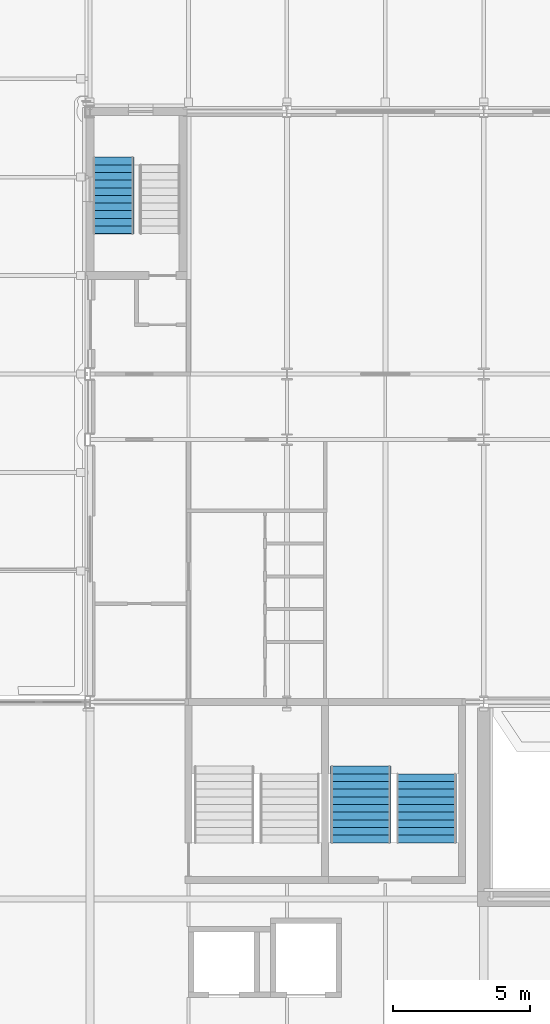
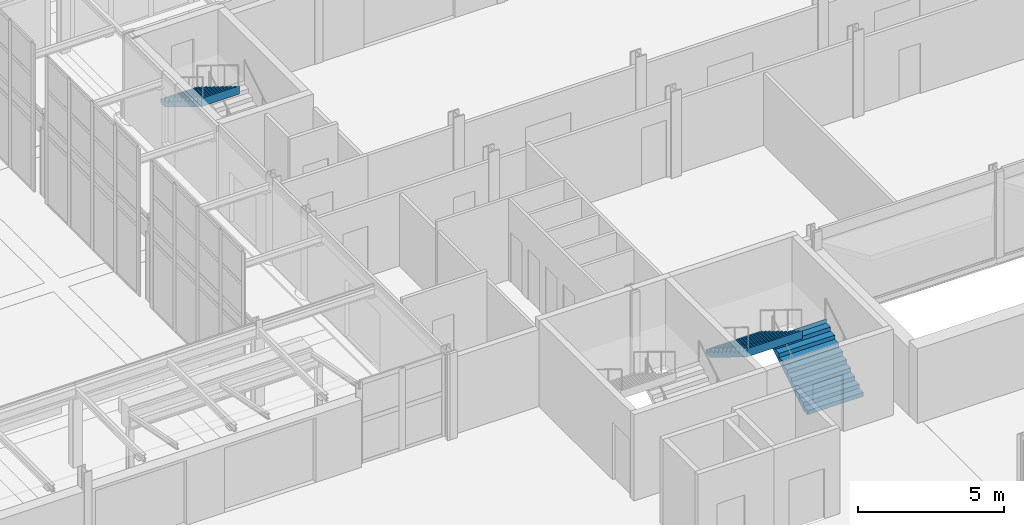
# One storey, part 98 of 143: 3 stair flights, 2 elements without a shape of their own.
"""IFC4 building model written with IfcOpenShell, lengths in metres."""

from ifc_helpers import new_model, si_unit, direction, frame, origin, place, context, subcontext, project, spatial, polyline, outline, extrude, material, type_object, element, aggregate, save


model = new_model("IFC4")

# Units and contexts
model_context = context("Model", 3, precision=1e-05, world=origin(), true_north=direction((0.0, 1.0)))
body_context = subcontext(model_context, "Body", "Model", "MODEL_VIEW")
ifc_project = project(units=[si_unit("LENGTHUNIT", "METRE"), si_unit("AREAUNIT", "SQUARE_METRE"), si_unit("VOLUMEUNIT", "CUBIC_METRE"), si_unit("PLANEANGLEUNIT", "RADIAN"), si_unit("MASSUNIT", "GRAM", prefix="KILO")], contexts=[model_context])

# Site, building, storey
site_placement = place(None, origin())
site = spatial("IfcSite", under=ifc_project, at=site_placement, CompositionType="ELEMENT")
building_placement = place(site_placement, origin())
building = spatial("IfcBuilding", under=site, at=building_placement, Name="Kupolbacken Congress Centre", CompositionType="ELEMENT")
storey_placement = place(building_placement, frame((0.0, 0.0, 7.199951171875)))
storey = spatial("IfcBuildingStorey", under=building, at=storey_placement, Name="L02", CompositionType="ELEMENT", Elevation=7.199951171875)

# Stair, stair flights
ifc_material_1 = material(Name="Concrete C30/37", Category="concrete")
stair_type_1 = type_object("IfcStairType", Name="ST13 stair 2200", PredefinedType="TWO_STRAIGHT_RUN_STAIR", material=ifc_material_1)
stair_1_placement = place(storey_placement, origin())
stair_1 = element("IfcStair", 1, at=stair_1_placement, inside=storey, type_object=stair_type_1, Name="C/stair/PS2NE/L02", PredefinedType="NOTDEFINED")
ifc_material_2 = material(Name="Concrete C30/37", Category="concrete")
stair_flight_type_1 = type_object("IfcStairFlightType", Name="FL13 stair flight 2200 x 10 risers", PredefinedType="STRAIGHT", material=ifc_material_2)
stair_flight_1_placement = place(storey_placement, frame((77.10009765625, 117.2548828125, 0.0), z_axis=(0.0, 0.0, 1.0), x_axis=(0.0, 1.0, 0.0)))
stair_flight_1 = element("IfcStairFlight", 2, at=stair_flight_1_placement, type_object=stair_flight_type_1, Name="PS2NE flight 1", NumberOfRisers=10, NumberOfTreads=9, PredefinedType="STRAIGHT", RiserHeight=0.171428571, TreadLength=0.28, context=body_context, shape_type="SweptSolid", body=[
    extrude(outline(polyline([(0.0, 0.0), (0.0, 0.0009765625), (0.0, 0.002197265625), (0.0, 0.003173828125), (0.0, 0.004150390625), (0.0, 0.00537109375), (0.0, 0.00634765625), (0.0, 0.007568359375), (0.0, 0.008544921875), (0.0, 0.009521484375), (0.0, 0.0107421875), (0.0, 0.01171875), (0.0, 0.0126953125), (0.0, 0.013916015625), (0.0, 0.014892578125), (0.0, 0.015869140625), (0.0, 0.01708984375), (0.0, 0.01806640625), (0.0, 0.019287109375), (0.0, 0.020263671875), (0.0, 0.021240234375), (0.0, 0.0224609375), (0.0, 0.0234375), (0.0, 0.0244140625), (0.0, 0.025634765625), (0.0, 0.026611328125), (0.0, 0.027587890625), (0.0, 0.02880859375), (0.0, 0.02978515625), (0.0, 0.03076171875), (0.0, 0.031982421875), (0.0, 0.032958984375), (0.0, 0.0341796875), (0.0, 0.03515625), (0.0, 0.0361328125), (0.0, 0.037353515625), (0.0, 0.038330078125), (0.0, 0.039306640625), (0.0, 0.04052734375), (0.0, 0.04150390625), (0.0, 0.04248046875), (0.0, 0.043701171875), (0.0, 0.044677734375), (0.0, 0.0458984375), (0.0, 0.046875), (0.0, 0.0478515625), (0.0, 0.049072265625), (0.0, 0.050048828125), (0.0, 0.051025390625), (0.0, 0.05224609375), (0.0, 0.05322265625), (0.0, 0.05419921875), (0.0, 0.055419921875), (0.0, 0.056396484375), (0.0, 0.0576171875), (0.0, 0.05859375), (0.0, 0.0595703125), (0.0, 0.060791015625), (0.0, 0.061767578125), (0.0, 0.062744140625), (0.0, 0.06396484375), (0.0, 0.06494140625), (0.0, 0.06591796875), (0.0, 0.067138671875), (0.0, 0.068115234375), (0.0, 0.069091796875), (0.0, 0.0703125), (0.0, 0.0712890625), (0.0, 0.072509765625), (0.0, 0.073486328125), (0.0, 0.074462890625), (0.0, 0.07568359375), (0.0, 0.07666015625), (0.0, 0.07763671875), (0.0, 0.078857421875), (0.0, 0.079833984375), (0.0, 0.080810546875), (0.0, 0.08203125), (0.0, 0.0830078125), (0.0, 0.084228515625), (0.0, 0.085205078125), (0.0, 0.086181640625), (0.0, 0.08740234375), (0.0, 0.08837890625), (0.0, 0.08935546875), (0.0, 0.090576171875), (0.0, 0.091552734375), (0.0, 0.092529296875), (0.0, 0.09375), (0.0, 0.0947265625), (0.0, 0.095947265625), (0.0, 0.096923828125), (0.0, 0.097900390625), (0.0, 0.09912109375), (0.0, 0.10009765625), (0.0, 0.10107421875), (0.0, 0.102294921875), (0.0, 0.103271484375), (0.0, 0.104248046875), (0.0, 0.10546875), (0.0, 0.1064453125), (0.0, 0.107421875), (0.0, 0.108642578125), (0.0, 0.109619140625), (0.0, 0.11083984375), (0.0, 0.11181640625), (0.0, 0.11279296875), (0.0, 0.114013671875), (0.0, 0.114990234375), (0.0, 0.115966796875), (0.0, 0.1171875), (0.0, 0.1181640625), (0.0, 0.119140625), (0.0, 0.120361328125), (0.0, 0.121337890625), (0.0, 0.12255859375), (0.0, 0.12353515625), (0.0, 0.12451171875), (0.0, 0.125732421875), (0.0, 0.126708984375), (0.0, 0.127685546875), (0.0, 0.12890625), (0.0, 0.1298828125), (0.0, 0.130859375), (0.0, 0.132080078125), (0.0, 0.133056640625), (0.0, 0.13427734375), (0.0, 0.13525390625), (0.0, 0.13623046875), (0.0, 0.137451171875), (0.0, 0.138427734375), (0.0, 0.139404296875), (0.0, 0.140625), (0.0, 0.1416015625), (0.0, 0.142578125), (0.0, 0.143798828125), (0.0, 0.144775390625), (0.0, 0.145751953125), (0.0, 0.14697265625), (0.0, 0.14794921875), (0.0, 0.149169921875), (0.0, 0.150146484375), (0.0, 0.151123046875), (0.0, 0.15234375), (0.0, 0.1533203125), (0.0, 0.154296875), (0.0, 0.155517578125), (0.0, 0.156494140625), (0.0, 0.157470703125), (0.0, 0.15869140625), (0.0, 0.15966796875), (0.0, 0.160888671875), (0.0, 0.161865234375), (0.0, 0.162841796875), (0.0, 0.1640625), (0.0, 0.1650390625), (0.0, 0.166015625), (0.0, 0.167236328125), (0.0, 0.168212890625), (0.0, 0.169189453125), (0.0, 0.17041015625), (0.0, 0.17138671875), (0.280029296875, 0.17138671875), (0.280029296875, 0.3427734375), (0.56005859375, 0.3427734375), (0.56005859375, 0.514404296875), (0.840087890625, 0.514404296875), (0.840087890625, 0.685791015625), (1.1201171875, 0.685791015625), (1.1201171875, 0.857177734375), (1.39990234375, 0.857177734375), (1.39990234375, 1.028564453125), (1.679931640625, 1.028564453125), (1.679931640625, 1.199951171875), (1.9599609375, 1.199951171875), (1.9599609375, 1.371337890625), (2.239990234375, 1.371337890625), (2.239990234375, 1.54296875), (2.52001953125, 1.54296875), (2.52001953125, 1.71435546875), (2.52197265625, 1.71435546875), (2.52197265625, 1.712158203125), (2.52197265625, 1.7099609375), (2.52197265625, 1.707763671875), (2.52197265625, 1.70556640625), (2.52197265625, 1.70361328125), (2.52197265625, 1.701416015625), (2.52197265625, 1.69921875), (2.52197265625, 1.697021484375), (2.52197265625, 1.69482421875), (2.52197265625, 1.692626953125), (2.52197265625, 1.690673828125), (2.52197265625, 1.6884765625), (2.52197265625, 1.686279296875), (2.52197265625, 1.68408203125), (2.52197265625, 1.681884765625), (2.52197265625, 1.6796875), (2.52197265625, 1.677734375), (2.52197265625, 1.675537109375), (2.52197265625, 1.67333984375), (2.52197265625, 1.671142578125), (2.52197265625, 1.6689453125), (2.52197265625, 1.666748046875), (2.52197265625, 1.664794921875), (2.52197265625, 1.66259765625), (2.52197265625, 1.660400390625), (2.52197265625, 1.658203125), (2.52197265625, 1.656005859375), (2.52197265625, 1.65380859375), (2.52197265625, 1.65185546875), (2.52197265625, 1.649658203125), (2.52197265625, 1.6474609375), (2.52197265625, 1.645263671875), (2.52197265625, 1.64306640625), (2.52197265625, 1.640869140625), (2.52197265625, 1.638916015625), (2.52197265625, 1.63671875), (2.52197265625, 1.634521484375), (2.52197265625, 1.63232421875), (2.52197265625, 1.630126953125), (2.52197265625, 1.6279296875), (2.52197265625, 1.6259765625), (2.52197265625, 1.623779296875), (2.52197265625, 1.62158203125), (2.52197265625, 1.619384765625), (2.52197265625, 1.6171875), (2.52197265625, 1.614990234375), (2.52197265625, 1.613037109375), (2.52197265625, 1.61083984375), (2.52197265625, 1.608642578125), (2.52197265625, 1.6064453125), (2.52197265625, 1.604248046875), (2.52197265625, 1.60205078125), (2.52197265625, 1.60009765625), (2.52197265625, 1.597900390625), (2.52197265625, 1.595703125), (2.52197265625, 1.593505859375), (2.52197265625, 1.59130859375), (2.52197265625, 1.589111328125), (2.52197265625, 1.587158203125), (2.52197265625, 1.5849609375), (2.52197265625, 1.582763671875), (2.52197265625, 1.58056640625), (2.52197265625, 1.578369140625), (2.52197265625, 1.576171875), (2.52197265625, 1.57421875), (2.52197265625, 1.572021484375), (2.52197265625, 1.56982421875), (2.52197265625, 1.567626953125), (2.52197265625, 1.5654296875), (2.52197265625, 1.563232421875), (2.52197265625, 1.561279296875), (2.52197265625, 1.55908203125), (2.52197265625, 1.556884765625), (2.52197265625, 1.5546875), (2.52197265625, 1.552490234375), (2.52197265625, 1.55029296875), (2.52197265625, 1.54833984375), (2.52197265625, 1.546142578125), (2.52197265625, 1.5439453125), (2.52197265625, 1.541748046875), (2.52197265625, 1.53955078125), (2.52197265625, 1.537353515625), (2.52197265625, 1.535400390625), (2.52197265625, 1.533203125), (2.52197265625, 1.531005859375), (2.52197265625, 1.52880859375), (2.52197265625, 1.526611328125), (2.52197265625, 1.5244140625), (2.52197265625, 1.5224609375), (2.52197265625, 1.520263671875), (2.52197265625, 1.51806640625), (2.52197265625, 1.515869140625), (2.52197265625, 1.513671875), (2.52197265625, 1.511474609375), (2.52197265625, 1.509521484375), (2.52197265625, 1.50732421875), (2.52197265625, 1.505126953125), (2.52197265625, 1.5029296875), (2.52197265625, 1.500732421875), (2.52197265625, 1.49853515625), (2.52197265625, 1.49658203125), (2.52197265625, 1.494384765625), (2.52197265625, 1.4921875), (2.52197265625, 1.489990234375), (2.52197265625, 1.48779296875), (2.52197265625, 1.485595703125), (2.52197265625, 1.483642578125), (2.52197265625, 1.4814453125), (2.52197265625, 1.479248046875), (2.52197265625, 1.47705078125), (2.52197265625, 1.474853515625), (2.52197265625, 1.47265625), (2.52197265625, 1.470703125), (2.52197265625, 1.468505859375), (2.52197265625, 1.46630859375), (2.52197265625, 1.464111328125), (2.52197265625, 1.4619140625), (2.52197265625, 1.459716796875), (2.52197265625, 1.457763671875), (2.52197265625, 1.45556640625), (2.52197265625, 1.453369140625), (2.52197265625, 1.451171875), (2.52197265625, 1.448974609375), (2.52197265625, 1.44677734375), (2.52197265625, 1.44482421875), (2.52197265625, 1.442626953125), (2.52197265625, 1.4404296875), (2.52197265625, 1.438232421875), (2.52197265625, 1.43603515625), (2.52197265625, 1.433837890625), (2.52197265625, 1.431884765625), (2.52197265625, 1.4296875), (2.52197265625, 1.427490234375), (2.52197265625, 1.42529296875), (2.52197265625, 1.423095703125), (2.52197265625, 1.4208984375), (2.52197265625, 1.4189453125), (2.52197265625, 1.416748046875), (2.52197265625, 1.41455078125), (2.52197265625, 1.412353515625), (2.52197265625, 1.41015625), (2.52197265625, 1.407958984375), (2.52197265625, 1.406005859375), (2.52197265625, 1.40380859375), (2.52197265625, 1.401611328125), (2.52197265625, 1.3994140625), (2.52197265625, 1.397216796875), (2.52197265625, 1.39501953125), (2.52197265625, 1.39306640625), (2.52197265625, 1.390869140625), (2.52197265625, 1.388671875), (2.52197265625, 1.386474609375), (2.52197265625, 1.38427734375), (2.52197265625, 1.382080078125), (2.52197265625, 1.380126953125), (2.52197265625, 1.3779296875), (2.52197265625, 1.375732421875), (2.52197265625, 1.37353515625), (2.52197265625, 1.371337890625), (2.52197265625, 1.369140625), (2.52197265625, 1.3671875), (0.2890625, 0.0), (0.0, 0.0)])), frame((0.0, 1.10009765625, 0.0), z_axis=(0.0, -1.0, 0.0), x_axis=(1.0, 0.0, 0.0)), (0.0, 0.0, 1.0), 2.199951171875),
])
ifc_material_3 = material(Name="Concrete C30/37", Category="concrete")
stair_flight_type_2 = type_object("IfcStairFlightType", Name="FL14 stair flight 2200 x 11 risers", PredefinedType="STRAIGHT", material=ifc_material_3)
stair_flight_2_placement = place(storey_placement, frame((74.699951171875, 120.054931640625, 1.71435546875), z_axis=(0.0, 0.0, 1.0), x_axis=(0.0, -1.0, 0.0)))
stair_flight_2 = element("IfcStairFlight", 3, at=stair_flight_2_placement, type_object=stair_flight_type_2, Name="PS2NE flight 2", NumberOfRisers=11, NumberOfTreads=10, PredefinedType="STRAIGHT", RiserHeight=0.171428571, TreadLength=0.28, context=body_context, shape_type="SweptSolid", body=[
    extrude(outline(polyline([(0.0, 0.0), (0.0, 0.0009765625), (0.0, 0.002197265625), (0.0, 0.003173828125), (0.0, 0.004150390625), (0.0, 0.00537109375), (0.0, 0.00634765625), (0.0, 0.007568359375), (0.0, 0.008544921875), (0.0, 0.009521484375), (0.0, 0.0107421875), (0.0, 0.01171875), (0.0, 0.0126953125), (0.0, 0.013916015625), (0.0, 0.014892578125), (0.0, 0.015869140625), (0.0, 0.01708984375), (0.0, 0.01806640625), (0.0, 0.019287109375), (0.0, 0.020263671875), (0.0, 0.021240234375), (0.0, 0.0224609375), (0.0, 0.0234375), (0.0, 0.0244140625), (0.0, 0.025634765625), (0.0, 0.026611328125), (0.0, 0.027587890625), (0.0, 0.02880859375), (0.0, 0.02978515625), (0.0, 0.03076171875), (0.0, 0.031982421875), (0.0, 0.032958984375), (0.0, 0.0341796875), (0.0, 0.03515625), (0.0, 0.0361328125), (0.0, 0.037353515625), (0.0, 0.038330078125), (0.0, 0.039306640625), (0.0, 0.04052734375), (0.0, 0.04150390625), (0.0, 0.04248046875), (0.0, 0.043701171875), (0.0, 0.044677734375), (0.0, 0.0458984375), (0.0, 0.046875), (0.0, 0.0478515625), (0.0, 0.049072265625), (0.0, 0.050048828125), (0.0, 0.051025390625), (0.0, 0.05224609375), (0.0, 0.05322265625), (0.0, 0.05419921875), (0.0, 0.055419921875), (0.0, 0.056396484375), (0.0, 0.0576171875), (0.0, 0.05859375), (0.0, 0.0595703125), (0.0, 0.060791015625), (0.0, 0.061767578125), (0.0, 0.062744140625), (0.0, 0.06396484375), (0.0, 0.06494140625), (0.0, 0.06591796875), (0.0, 0.067138671875), (0.0, 0.068115234375), (0.0, 0.069091796875), (0.0, 0.0703125), (0.0, 0.0712890625), (0.0, 0.072509765625), (0.0, 0.073486328125), (0.0, 0.074462890625), (0.0, 0.07568359375), (0.0, 0.07666015625), (0.0, 0.07763671875), (0.0, 0.078857421875), (0.0, 0.079833984375), (0.0, 0.080810546875), (0.0, 0.08203125), (0.0, 0.0830078125), (0.0, 0.084228515625), (0.0, 0.085205078125), (0.0, 0.086181640625), (0.0, 0.08740234375), (0.0, 0.08837890625), (0.0, 0.08935546875), (0.0, 0.090576171875), (0.0, 0.091552734375), (0.0, 0.092529296875), (0.0, 0.09375), (0.0, 0.0947265625), (0.0, 0.095947265625), (0.0, 0.096923828125), (0.0, 0.097900390625), (0.0, 0.09912109375), (0.0, 0.10009765625), (0.0, 0.10107421875), (0.0, 0.102294921875), (0.0, 0.103271484375), (0.0, 0.104248046875), (0.0, 0.10546875), (0.0, 0.1064453125), (0.0, 0.107421875), (0.0, 0.108642578125), (0.0, 0.109619140625), (0.0, 0.11083984375), (0.0, 0.11181640625), (0.0, 0.11279296875), (0.0, 0.114013671875), (0.0, 0.114990234375), (0.0, 0.115966796875), (0.0, 0.1171875), (0.0, 0.1181640625), (0.0, 0.119140625), (0.0, 0.120361328125), (0.0, 0.121337890625), (0.0, 0.12255859375), (0.0, 0.12353515625), (0.0, 0.12451171875), (0.0, 0.125732421875), (0.0, 0.126708984375), (0.0, 0.127685546875), (0.0, 0.12890625), (0.0, 0.1298828125), (0.0, 0.130859375), (0.0, 0.132080078125), (0.0, 0.133056640625), (0.0, 0.13427734375), (0.0, 0.13525390625), (0.0, 0.13623046875), (0.0, 0.137451171875), (0.0, 0.138427734375), (0.0, 0.139404296875), (0.0, 0.140625), (0.0, 0.1416015625), (0.0, 0.142578125), (0.0, 0.143798828125), (0.0, 0.144775390625), (0.0, 0.145751953125), (0.0, 0.14697265625), (0.0, 0.14794921875), (0.0, 0.149169921875), (0.0, 0.150146484375), (0.0, 0.151123046875), (0.0, 0.15234375), (0.0, 0.1533203125), (0.0, 0.154296875), (0.0, 0.155517578125), (0.0, 0.156494140625), (0.0, 0.157470703125), (0.0, 0.15869140625), (0.0, 0.15966796875), (0.0, 0.160888671875), (0.0, 0.161865234375), (0.0, 0.162841796875), (0.0, 0.1640625), (0.0, 0.1650390625), (0.0, 0.166015625), (0.0, 0.167236328125), (0.0, 0.168212890625), (0.0, 0.169189453125), (0.0, 0.17041015625), (0.0, 0.17138671875), (0.280029296875, 0.17138671875), (0.280029296875, 0.3427734375), (0.56005859375, 0.3427734375), (0.56005859375, 0.514404296875), (0.840087890625, 0.514404296875), (0.840087890625, 0.685791015625), (1.1201171875, 0.685791015625), (1.1201171875, 0.857177734375), (1.39990234375, 0.857177734375), (1.39990234375, 1.028564453125), (1.679931640625, 1.028564453125), (1.679931640625, 1.199951171875), (1.9599609375, 1.199951171875), (1.9599609375, 1.371337890625), (2.239990234375, 1.371337890625), (2.239990234375, 1.54296875), (2.52001953125, 1.54296875), (2.52001953125, 1.71435546875), (2.800048828125, 1.71435546875), (2.800048828125, 1.8857421875), (2.802001953125, 1.8857421875), (2.802001953125, 1.883544921875), (2.802001953125, 1.88134765625), (2.802001953125, 1.879150390625), (2.802001953125, 1.877197265625), (2.802001953125, 1.875), (2.802001953125, 1.872802734375), (2.802001953125, 1.87060546875), (2.802001953125, 1.868408203125), (2.802001953125, 1.8662109375), (2.802001953125, 1.8642578125), (2.802001953125, 1.862060546875), (2.802001953125, 1.85986328125), (2.802001953125, 1.857666015625), (2.802001953125, 1.85546875), (2.802001953125, 1.853271484375), (2.802001953125, 1.851318359375), (2.802001953125, 1.84912109375), (2.802001953125, 1.846923828125), (2.802001953125, 1.8447265625), (2.802001953125, 1.842529296875), (2.802001953125, 1.84033203125), (2.802001953125, 1.83837890625), (2.802001953125, 1.836181640625), (2.802001953125, 1.833984375), (2.802001953125, 1.831787109375), (2.802001953125, 1.82958984375), (2.802001953125, 1.827392578125), (2.802001953125, 1.825439453125), (2.802001953125, 1.8232421875), (2.802001953125, 1.821044921875), (2.802001953125, 1.81884765625), (2.802001953125, 1.816650390625), (2.802001953125, 1.814453125), (2.802001953125, 1.8125), (2.802001953125, 1.810302734375), (2.802001953125, 1.80810546875), (2.802001953125, 1.805908203125), (2.802001953125, 1.8037109375), (2.802001953125, 1.801513671875), (2.802001953125, 1.799560546875), (2.802001953125, 1.79736328125), (2.802001953125, 1.795166015625), (2.802001953125, 1.79296875), (2.802001953125, 1.790771484375), (2.802001953125, 1.78857421875), (2.802001953125, 1.78662109375), (2.802001953125, 1.784423828125), (2.802001953125, 1.7822265625), (2.802001953125, 1.780029296875), (2.802001953125, 1.77783203125), (2.802001953125, 1.775634765625), (2.802001953125, 1.773681640625), (2.802001953125, 1.771484375), (2.802001953125, 1.769287109375), (2.802001953125, 1.76708984375), (2.802001953125, 1.764892578125), (2.802001953125, 1.7626953125), (2.802001953125, 1.7607421875), (2.802001953125, 1.758544921875), (2.802001953125, 1.75634765625), (2.802001953125, 1.754150390625), (2.802001953125, 1.751953125), (2.802001953125, 1.749755859375), (2.802001953125, 1.747802734375), (2.802001953125, 1.74560546875), (2.802001953125, 1.743408203125), (2.802001953125, 1.7412109375), (2.802001953125, 1.739013671875), (2.802001953125, 1.73681640625), (2.802001953125, 1.73486328125), (2.802001953125, 1.732666015625), (2.802001953125, 1.73046875), (2.802001953125, 1.728271484375), (2.802001953125, 1.72607421875), (2.802001953125, 1.723876953125), (2.802001953125, 1.721923828125), (2.802001953125, 1.7197265625), (2.802001953125, 1.717529296875), (2.802001953125, 1.71533203125), (2.802001953125, 1.713134765625), (2.802001953125, 1.7109375), (2.802001953125, 1.708984375), (2.802001953125, 1.706787109375), (2.802001953125, 1.70458984375), (2.802001953125, 1.702392578125), (2.802001953125, 1.7001953125), (2.802001953125, 1.697998046875), (2.802001953125, 1.696044921875), (2.802001953125, 1.69384765625), (2.802001953125, 1.691650390625), (2.802001953125, 1.689453125), (2.802001953125, 1.687255859375), (2.802001953125, 1.68505859375), (2.802001953125, 1.68310546875), (2.802001953125, 1.680908203125), (2.802001953125, 1.6787109375), (2.802001953125, 1.676513671875), (2.802001953125, 1.67431640625), (2.802001953125, 1.672119140625), (2.802001953125, 1.670166015625), (2.802001953125, 1.66796875), (2.802001953125, 1.665771484375), (2.802001953125, 1.66357421875), (2.802001953125, 1.661376953125), (2.802001953125, 1.6591796875), (2.802001953125, 1.6572265625), (2.802001953125, 1.655029296875), (2.802001953125, 1.65283203125), (2.802001953125, 1.650634765625), (2.802001953125, 1.6484375), (2.802001953125, 1.646240234375), (2.802001953125, 1.644287109375), (2.802001953125, 1.64208984375), (2.802001953125, 1.639892578125), (2.802001953125, 1.6376953125), (2.802001953125, 1.635498046875), (2.802001953125, 1.63330078125), (2.802001953125, 1.63134765625), (2.802001953125, 1.629150390625), (2.802001953125, 1.626953125), (2.802001953125, 1.624755859375), (2.802001953125, 1.62255859375), (2.802001953125, 1.620361328125), (2.802001953125, 1.618408203125), (2.802001953125, 1.6162109375), (2.802001953125, 1.614013671875), (2.802001953125, 1.61181640625), (2.802001953125, 1.609619140625), (2.802001953125, 1.607421875), (2.802001953125, 1.60546875), (2.802001953125, 1.603271484375), (2.802001953125, 1.60107421875), (2.802001953125, 1.598876953125), (2.802001953125, 1.5966796875), (2.802001953125, 1.594482421875), (2.802001953125, 1.592529296875), (2.802001953125, 1.59033203125), (2.802001953125, 1.588134765625), (2.802001953125, 1.5859375), (2.802001953125, 1.583740234375), (2.802001953125, 1.58154296875), (2.802001953125, 1.57958984375), (2.802001953125, 1.577392578125), (2.802001953125, 1.5751953125), (2.802001953125, 1.572998046875), (2.802001953125, 1.57080078125), (2.802001953125, 1.568603515625), (2.802001953125, 1.566650390625), (2.802001953125, 1.564453125), (2.802001953125, 1.562255859375), (2.802001953125, 1.56005859375), (2.802001953125, 1.557861328125), (2.802001953125, 1.5556640625), (2.802001953125, 1.5537109375), (2.802001953125, 1.551513671875), (2.802001953125, 1.54931640625), (2.802001953125, 1.547119140625), (2.802001953125, 1.544921875), (2.802001953125, 1.542724609375), (2.802001953125, 1.540771484375), (2.802001953125, 1.53857421875), (0.2890625, 0.0), (0.0, 0.0)])), frame((0.0, 1.10009765625, 0.0), z_axis=(0.0, -1.0, 0.0), x_axis=(1.0, 0.0, 0.0)), (0.0, 0.0, 1.0), 2.199951171875),
])
aggregate(stair_1, [stair_flight_1, stair_flight_2])

# Stair, stair flight
ifc_material_4 = material(Name="Steel S355", Category="steel")
stair_type_2 = type_object("IfcStairType", Name="ST2 stair 1500", PredefinedType="TWO_STRAIGHT_RUN_STAIR", material=ifc_material_4)
stair_2_placement = place(storey_placement, origin())
stair_2 = element("IfcStair", 4, at=stair_2_placement, inside=storey, type_object=stair_type_2, Name="C/stair/TS3/L02", PredefinedType="NOTDEFINED")
ifc_material_5 = material(Name="Steel S355", Category="steel")
stair_flight_type_3 = type_object("IfcStairFlightType", Name="FL4 stair flight 1500 x 11 risers", PredefinedType="STRAIGHT", material=ifc_material_5)
stair_flight_3_placement = place(storey_placement, frame((65.64990234375, 142.330078125, 1.71435546875), z_axis=(0.0, 0.0, 1.0), x_axis=(0.0, -1.0, 0.0)))
stair_flight_3 = element("IfcStairFlight", 5, at=stair_flight_3_placement, type_object=stair_flight_type_3, Name="TS3 flight 2", NumberOfRisers=11, NumberOfTreads=10, PredefinedType="STRAIGHT", RiserHeight=0.171428571, TreadLength=0.28, context=body_context, shape_type="SweptSolid", body=[
    extrude(outline(polyline([(0.0, 0.0), (0.0, 0.0009765625), (0.0, 0.002197265625), (0.0, 0.003173828125), (0.0, 0.004150390625), (0.0, 0.00537109375), (0.0, 0.00634765625), (0.0, 0.007568359375), (0.0, 0.008544921875), (0.0, 0.009521484375), (0.0, 0.0107421875), (0.0, 0.01171875), (0.0, 0.0126953125), (0.0, 0.013916015625), (0.0, 0.014892578125), (0.0, 0.015869140625), (0.0, 0.01708984375), (0.0, 0.01806640625), (0.0, 0.019287109375), (0.0, 0.020263671875), (0.0, 0.021240234375), (0.0, 0.0224609375), (0.0, 0.0234375), (0.0, 0.0244140625), (0.0, 0.025634765625), (0.0, 0.026611328125), (0.0, 0.027587890625), (0.0, 0.02880859375), (0.0, 0.02978515625), (0.0, 0.03076171875), (0.0, 0.031982421875), (0.0, 0.032958984375), (0.0, 0.0341796875), (0.0, 0.03515625), (0.0, 0.0361328125), (0.0, 0.037353515625), (0.0, 0.038330078125), (0.0, 0.039306640625), (0.0, 0.04052734375), (0.0, 0.04150390625), (0.0, 0.04248046875), (0.0, 0.043701171875), (0.0, 0.044677734375), (0.0, 0.0458984375), (0.0, 0.046875), (0.0, 0.0478515625), (0.0, 0.049072265625), (0.0, 0.050048828125), (0.0, 0.051025390625), (0.0, 0.05224609375), (0.0, 0.05322265625), (0.0, 0.05419921875), (0.0, 0.055419921875), (0.0, 0.056396484375), (0.0, 0.0576171875), (0.0, 0.05859375), (0.0, 0.0595703125), (0.0, 0.060791015625), (0.0, 0.061767578125), (0.0, 0.062744140625), (0.0, 0.06396484375), (0.0, 0.06494140625), (0.0, 0.06591796875), (0.0, 0.067138671875), (0.0, 0.068115234375), (0.0, 0.069091796875), (0.0, 0.0703125), (0.0, 0.0712890625), (0.0, 0.072509765625), (0.0, 0.073486328125), (0.0, 0.074462890625), (0.0, 0.07568359375), (0.0, 0.07666015625), (0.0, 0.07763671875), (0.0, 0.078857421875), (0.0, 0.079833984375), (0.0, 0.080810546875), (0.0, 0.08203125), (0.0, 0.0830078125), (0.0, 0.084228515625), (0.0, 0.085205078125), (0.0, 0.086181640625), (0.0, 0.08740234375), (0.0, 0.08837890625), (0.0, 0.08935546875), (0.0, 0.090576171875), (0.0, 0.091552734375), (0.0, 0.092529296875), (0.0, 0.09375), (0.0, 0.0947265625), (0.0, 0.095947265625), (0.0, 0.096923828125), (0.0, 0.097900390625), (0.0, 0.09912109375), (0.0, 0.10009765625), (0.0, 0.10107421875), (0.0, 0.102294921875), (0.0, 0.103271484375), (0.0, 0.104248046875), (0.0, 0.10546875), (0.0, 0.1064453125), (0.0, 0.107421875), (0.0, 0.108642578125), (0.0, 0.109619140625), (0.0, 0.11083984375), (0.0, 0.11181640625), (0.0, 0.11279296875), (0.0, 0.114013671875), (0.0, 0.114990234375), (0.0, 0.115966796875), (0.0, 0.1171875), (0.0, 0.1181640625), (0.0, 0.119140625), (0.0, 0.120361328125), (0.0, 0.121337890625), (0.0, 0.12255859375), (0.0, 0.12353515625), (0.0, 0.12451171875), (0.0, 0.125732421875), (0.0, 0.126708984375), (0.0, 0.127685546875), (0.0, 0.12890625), (0.0, 0.1298828125), (0.0, 0.130859375), (0.0, 0.132080078125), (0.0, 0.133056640625), (0.0, 0.13427734375), (0.0, 0.13525390625), (0.0, 0.13623046875), (0.0, 0.137451171875), (0.0, 0.138427734375), (0.0, 0.139404296875), (0.0, 0.140625), (0.0, 0.1416015625), (0.0, 0.142578125), (0.0, 0.143798828125), (0.0, 0.144775390625), (0.0, 0.145751953125), (0.0, 0.14697265625), (0.0, 0.14794921875), (0.0, 0.149169921875), (0.0, 0.150146484375), (0.0, 0.151123046875), (0.0, 0.15234375), (0.0, 0.1533203125), (0.0, 0.154296875), (0.0, 0.155517578125), (0.0, 0.156494140625), (0.0, 0.157470703125), (0.0, 0.15869140625), (0.0, 0.15966796875), (0.0, 0.160888671875), (0.0, 0.161865234375), (0.0, 0.162841796875), (0.0, 0.1640625), (0.0, 0.1650390625), (0.0, 0.166015625), (0.0, 0.167236328125), (0.0, 0.168212890625), (0.0, 0.169189453125), (0.0, 0.17041015625), (0.0, 0.17138671875), (0.280029296875, 0.17138671875), (0.280029296875, 0.3427734375), (0.56005859375, 0.3427734375), (0.56005859375, 0.514404296875), (0.840087890625, 0.514404296875), (0.840087890625, 0.685791015625), (1.1201171875, 0.685791015625), (1.1201171875, 0.857177734375), (1.39990234375, 0.857177734375), (1.39990234375, 1.028564453125), (1.679931640625, 1.028564453125), (1.679931640625, 1.199951171875), (1.9599609375, 1.199951171875), (1.9599609375, 1.371337890625), (2.239990234375, 1.371337890625), (2.239990234375, 1.54296875), (2.52001953125, 1.54296875), (2.52001953125, 1.71435546875), (2.800048828125, 1.71435546875), (2.800048828125, 1.8857421875), (2.802001953125, 1.8857421875), (2.802001953125, 1.883544921875), (2.802001953125, 1.88134765625), (2.802001953125, 1.879150390625), (2.802001953125, 1.877197265625), (2.802001953125, 1.875), (2.802001953125, 1.872802734375), (2.802001953125, 1.87060546875), (2.802001953125, 1.868408203125), (2.802001953125, 1.8662109375), (2.802001953125, 1.8642578125), (2.802001953125, 1.862060546875), (2.802001953125, 1.85986328125), (2.802001953125, 1.857666015625), (2.802001953125, 1.85546875), (2.802001953125, 1.853271484375), (2.802001953125, 1.851318359375), (2.802001953125, 1.84912109375), (2.802001953125, 1.846923828125), (2.802001953125, 1.8447265625), (2.802001953125, 1.842529296875), (2.802001953125, 1.84033203125), (2.802001953125, 1.83837890625), (2.802001953125, 1.836181640625), (2.802001953125, 1.833984375), (2.802001953125, 1.831787109375), (2.802001953125, 1.82958984375), (2.802001953125, 1.827392578125), (2.802001953125, 1.825439453125), (2.802001953125, 1.8232421875), (2.802001953125, 1.821044921875), (2.802001953125, 1.81884765625), (2.802001953125, 1.816650390625), (2.802001953125, 1.814453125), (2.802001953125, 1.8125), (2.802001953125, 1.810302734375), (2.802001953125, 1.80810546875), (2.802001953125, 1.805908203125), (2.802001953125, 1.8037109375), (2.802001953125, 1.801513671875), (2.802001953125, 1.799560546875), (2.802001953125, 1.79736328125), (2.802001953125, 1.795166015625), (2.802001953125, 1.79296875), (2.802001953125, 1.790771484375), (2.802001953125, 1.78857421875), (2.802001953125, 1.78662109375), (2.802001953125, 1.784423828125), (2.802001953125, 1.7822265625), (2.802001953125, 1.780029296875), (2.802001953125, 1.77783203125), (2.802001953125, 1.775634765625), (2.802001953125, 1.773681640625), (2.802001953125, 1.771484375), (2.802001953125, 1.769287109375), (2.802001953125, 1.76708984375), (2.802001953125, 1.764892578125), (2.802001953125, 1.7626953125), (2.802001953125, 1.7607421875), (2.802001953125, 1.758544921875), (2.802001953125, 1.75634765625), (2.802001953125, 1.754150390625), (2.802001953125, 1.751953125), (2.802001953125, 1.749755859375), (2.802001953125, 1.747802734375), (2.802001953125, 1.74560546875), (2.802001953125, 1.743408203125), (2.802001953125, 1.7412109375), (2.802001953125, 1.739013671875), (2.802001953125, 1.73681640625), (2.802001953125, 1.73486328125), (2.802001953125, 1.732666015625), (2.802001953125, 1.73046875), (2.802001953125, 1.728271484375), (2.802001953125, 1.72607421875), (2.802001953125, 1.723876953125), (2.802001953125, 1.721923828125), (2.802001953125, 1.7197265625), (2.802001953125, 1.717529296875), (2.802001953125, 1.71533203125), (2.802001953125, 1.713134765625), (2.802001953125, 1.7109375), (2.802001953125, 1.708984375), (2.802001953125, 1.706787109375), (2.802001953125, 1.70458984375), (2.802001953125, 1.702392578125), (2.802001953125, 1.7001953125), (2.802001953125, 1.697998046875), (2.802001953125, 1.696044921875), (2.802001953125, 1.69384765625), (2.802001953125, 1.691650390625), (2.802001953125, 1.689453125), (2.802001953125, 1.687255859375), (2.802001953125, 1.68505859375), (2.802001953125, 1.68310546875), (2.802001953125, 1.680908203125), (2.802001953125, 1.6787109375), (2.802001953125, 1.676513671875), (2.802001953125, 1.67431640625), (2.802001953125, 1.672119140625), (2.802001953125, 1.670166015625), (2.802001953125, 1.66796875), (2.802001953125, 1.665771484375), (2.802001953125, 1.66357421875), (2.802001953125, 1.661376953125), (2.802001953125, 1.6591796875), (2.802001953125, 1.6572265625), (2.802001953125, 1.655029296875), (2.802001953125, 1.65283203125), (2.802001953125, 1.650634765625), (2.802001953125, 1.6484375), (2.802001953125, 1.646240234375), (2.802001953125, 1.644287109375), (2.802001953125, 1.64208984375), (2.802001953125, 1.639892578125), (2.802001953125, 1.6376953125), (2.802001953125, 1.635498046875), (2.802001953125, 1.63330078125), (2.802001953125, 1.63134765625), (2.802001953125, 1.629150390625), (2.802001953125, 1.626953125), (2.802001953125, 1.624755859375), (2.802001953125, 1.62255859375), (2.802001953125, 1.620361328125), (2.802001953125, 1.618408203125), (2.802001953125, 1.6162109375), (2.802001953125, 1.614013671875), (2.802001953125, 1.61181640625), (2.802001953125, 1.609619140625), (2.802001953125, 1.607421875), (2.802001953125, 1.60546875), (2.802001953125, 1.603271484375), (2.802001953125, 1.60107421875), (2.802001953125, 1.598876953125), (2.802001953125, 1.5966796875), (2.802001953125, 1.594482421875), (2.802001953125, 1.592529296875), (2.802001953125, 1.59033203125), (2.802001953125, 1.588134765625), (2.802001953125, 1.5859375), (2.802001953125, 1.583740234375), (2.802001953125, 1.58154296875), (2.802001953125, 1.57958984375), (2.802001953125, 1.577392578125), (2.802001953125, 1.5751953125), (2.802001953125, 1.572998046875), (2.802001953125, 1.57080078125), (2.802001953125, 1.568603515625), (2.802001953125, 1.566650390625), (2.802001953125, 1.564453125), (2.802001953125, 1.562255859375), (2.802001953125, 1.56005859375), (2.802001953125, 1.557861328125), (2.802001953125, 1.5556640625), (2.802001953125, 1.5537109375), (2.802001953125, 1.551513671875), (2.802001953125, 1.54931640625), (2.802001953125, 1.547119140625), (2.802001953125, 1.544921875), (2.802001953125, 1.542724609375), (2.802001953125, 1.540771484375), (2.802001953125, 1.53857421875), (0.2890625, 0.0), (0.0, 0.0)])), frame((0.0, 0.75, 0.0), z_axis=(0.0, -1.0, 0.0), x_axis=(1.0, 0.0, 0.0)), (0.0, 0.0, 1.0), 1.5),
])
aggregate(stair_2, [stair_flight_3])

save(model, "model.ifc")
